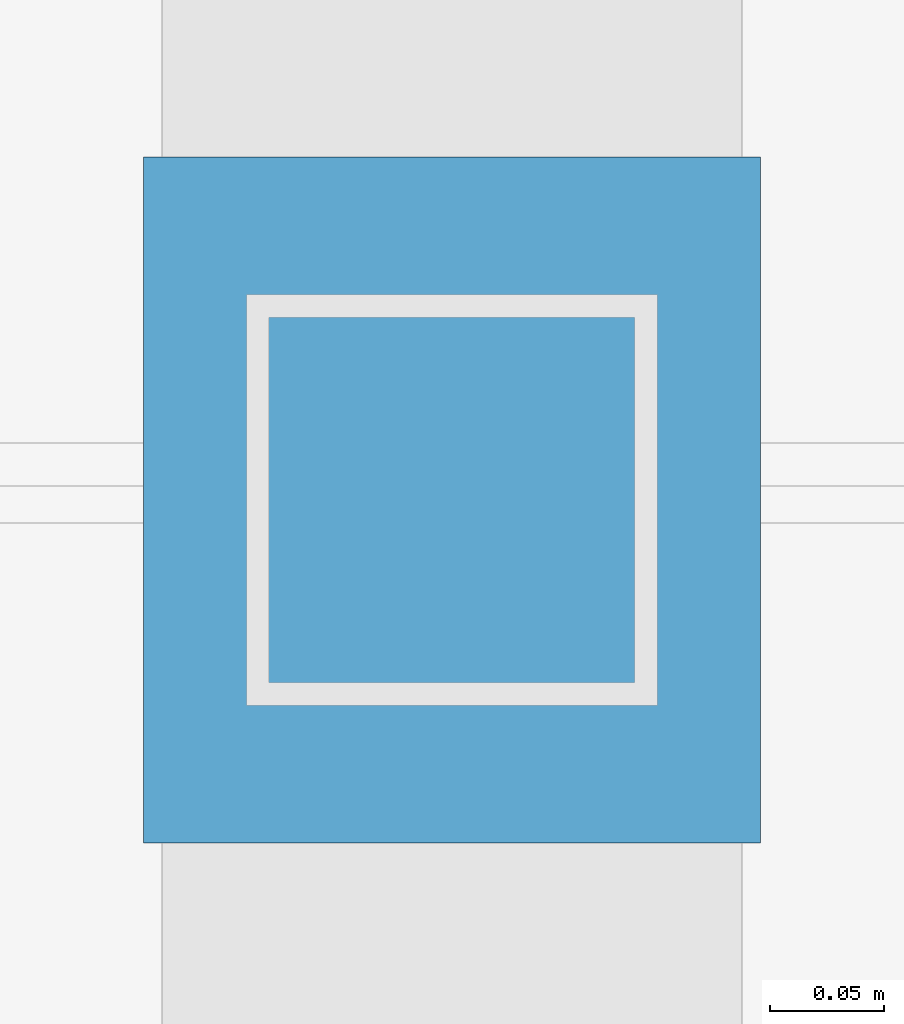
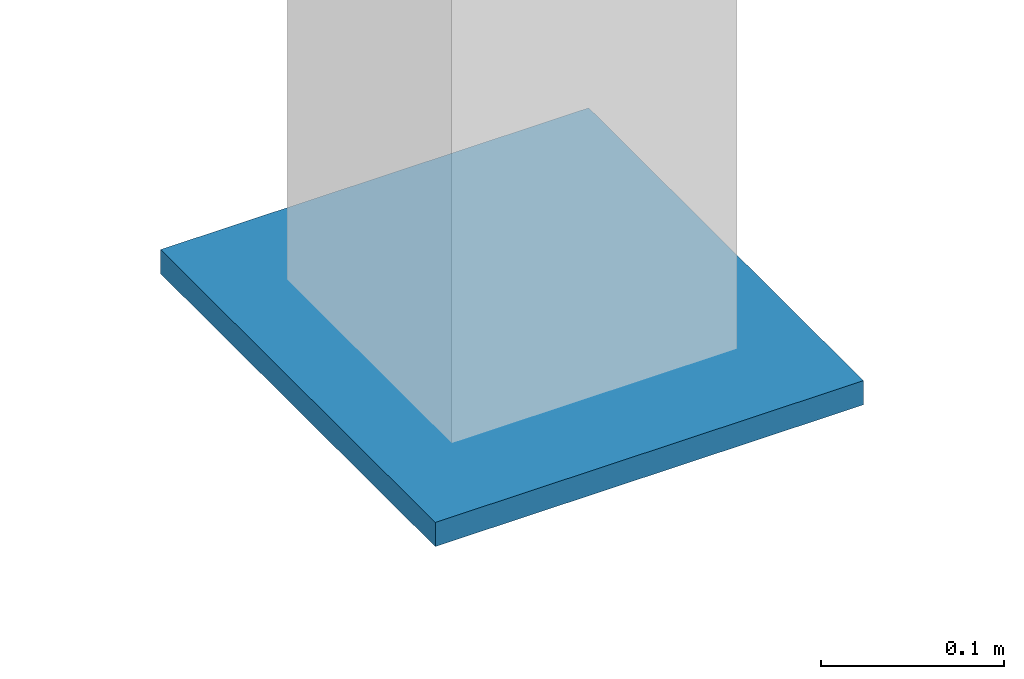
# One storey, part 82 of 108: 1 discrete accessory.
"""IFC4 building model written with IfcOpenShell, lengths in metres."""

from ifc_helpers import new_model, si_unit, direction, frame, origin, origin_2d, place, context, subcontext, project, spatial, rectangle, extrude, material, type_object, element, save


model = new_model("IFC4")

# Units and contexts
model_context = context("Model", 3, precision=1e-05, world=origin(), true_north=direction((0.0, 1.0)))
body_context = subcontext(model_context, "Body", "Model", "MODEL_VIEW")
ifc_project = project(units=[si_unit("LENGTHUNIT", "METRE"), si_unit("AREAUNIT", "SQUARE_METRE"), si_unit("VOLUMEUNIT", "CUBIC_METRE"), si_unit("PLANEANGLEUNIT", "RADIAN"), si_unit("MASSUNIT", "GRAM", prefix="KILO")], contexts=[model_context])

# Site, building, storey
site_placement = place(None, origin())
site = spatial("IfcSite", under=ifc_project, at=site_placement, CompositionType="ELEMENT")
building_placement = place(site_placement, origin())
building = spatial("IfcBuilding", under=site, at=building_placement, Name="Cumevento Cable Car Station", CompositionType="ELEMENT")
storey_placement = place(building_placement, frame((0.0, 0.0, 13.5)))
storey = spatial("IfcBuildingStorey", under=building, at=storey_placement, Name="L04", CompositionType="ELEMENT", Elevation=13.5)

# Discrete accessory
ifc_material = material(Name="Steel ASTM A572 Grade 50", Category="steel")
discrete_accessory_type = type_object("IfcDiscreteAccessoryType", Name="Cast-in Embed Plate CE-01", PredefinedType="BRACKET", material=ifc_material)
discrete_accessory_placement = place(storey_placement, frame((34.0, 9.5, -0.01513671875), z_axis=(0.0, 0.0, 1.0), x_axis=(0.0, 1.0, 0.0)))
element("IfcDiscreteAccessory", 1, at=discrete_accessory_placement, inside=storey, type_object=discrete_accessory_type, Name="Cast-in Embed Plate #3", PredefinedType="BRACKET", context=body_context, shape_type="SweptSolid", body=[
    extrude(rectangle(XDim=0.300048828125, YDim=0.27001953125, at=origin_2d()), origin(), (0.0, 0.0, 1.0), 0.01611328125),
])

save(model, "model.ifc")
